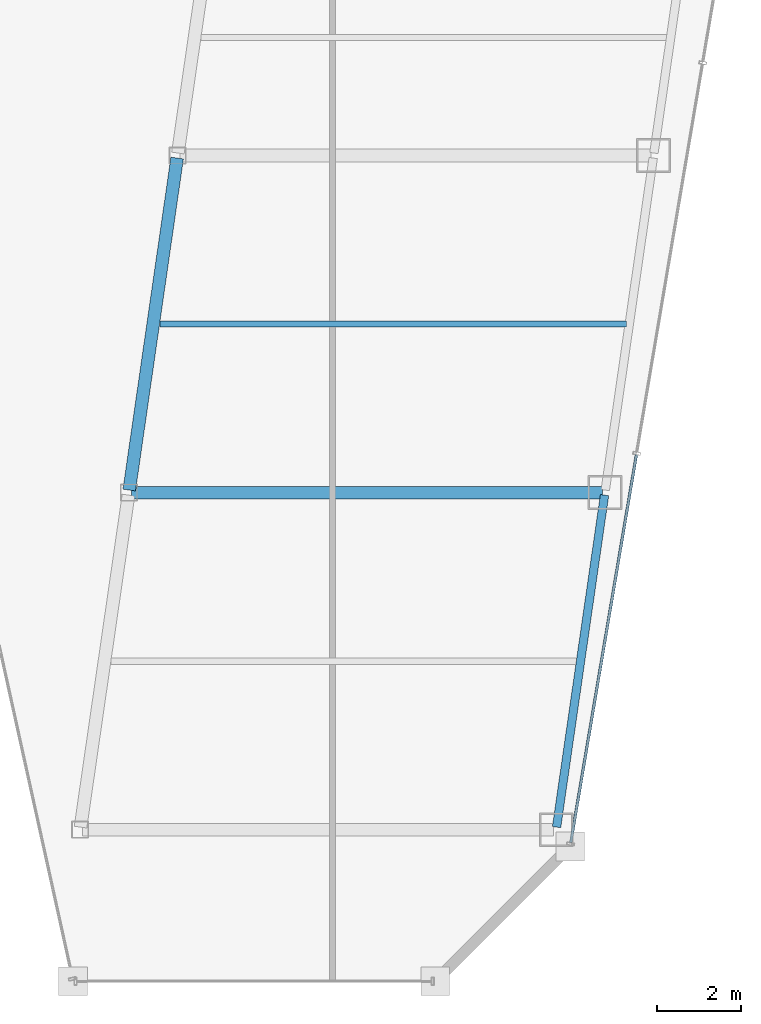
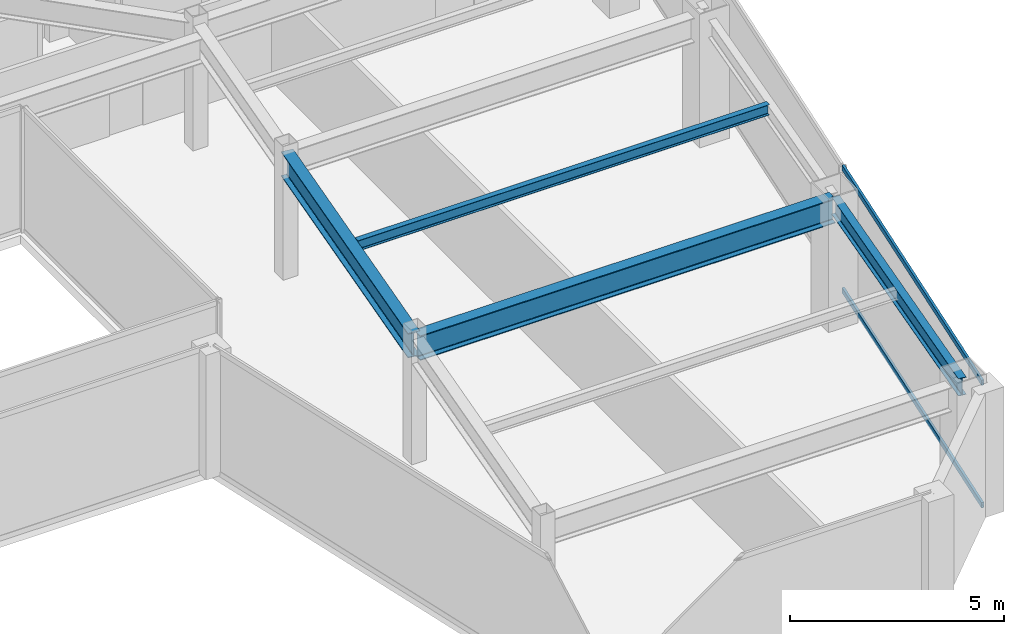
# One storey, part 19 of 35: 4 beams, 2 members, 1 element without a shape of its own.
"""IFC4 building model written with IfcOpenShell, lengths in metres."""

from ifc_helpers import new_model, si_unit, direction, frame, origin, origin_2d, place, context, subcontext, project, spatial, hollow_rectangle, i_section, extrude, material, material_profile, profile_set, type_object, element, aggregate, save


model = new_model("IFC4")

# Units and contexts
model_context = context("Model", 3, precision=1e-05, world=origin(), true_north=direction((0.0, 1.0)))
body_context = subcontext(model_context, "Body", "Model", "MODEL_VIEW")
ifc_project = project(units=[si_unit("LENGTHUNIT", "METRE"), si_unit("AREAUNIT", "SQUARE_METRE"), si_unit("VOLUMEUNIT", "CUBIC_METRE"), si_unit("PLANEANGLEUNIT", "RADIAN"), si_unit("MASSUNIT", "GRAM", prefix="KILO")], contexts=[model_context])

# Site, building, storey
site_placement = place(None, origin())
site = spatial("IfcSite", under=ifc_project, at=site_placement, CompositionType="ELEMENT")
building_placement = place(site_placement, origin())
building = spatial("IfcBuilding", under=site, at=building_placement, Name="Saevonmaru Cultural Tower", CompositionType="ELEMENT")
storey_placement = place(building_placement, frame((0.0, 0.0, 213.199951171875)))
storey = spatial("IfcBuildingStorey", under=building, at=storey_placement, Name="L49", CompositionType="ELEMENT", Elevation=213.199951171875)

# Beams
ifc_material_1 = material(Name="Steel SM355", Category="steel")
ifc_material_profile_1 = material_profile(ifc_material_1, i_section(OverallWidth=0.300048828125, OverallDepth=0.699951171875, WebThickness=0.012939453125, FlangeThickness=0.02392578125, FilletRadius=0.02587890625, at=origin_2d()), Name="H-700x300x13x24")
ifc_profile_set_1 = profile_set([ifc_material_profile_1], Name="Steel SM355")
beam_type_1 = type_object("IfcBeamType", Name="BM-G-H700", PredefinedType="BEAM", material=ifc_profile_set_1)
beam_1_placement = place(storey_placement, frame((39.236572265625, 24.059326171875, 3.199951171875), z_axis=(0.142902032203, 0.989736838353, 0.0), x_axis=(-0.989736838353, 0.142902032203, 0.0)))
element("IfcBeam", 1, at=beam_1_placement, inside=storey, type_object=beam_type_1, Name="L49 East Atrium Girder 2", PredefinedType="BEAM", context=body_context, shape_type="SweptSolid", body=[
    extrude(i_section(OverallWidth=0.300048828125, OverallDepth=0.699951171875, WebThickness=0.012939453125, FlangeThickness=0.02392578125, FilletRadius=0.02587890625, at=origin_2d()), origin(), (0.0, 0.0, 1.0), 7.963134765625),
])
beam_2_placement = place(storey_placement, frame((39.2880859375, 24.0, 3.199951171875), z_axis=(1.0, 0.0, 0.0), x_axis=(0.0, 1.0, 0.0)))
element("IfcBeam", 2, at=beam_2_placement, inside=storey, type_object=beam_type_1, Name="L49 East Wing Transverse Girder 2", PredefinedType="BEAM", context=body_context, shape_type="SweptSolid", body=[
    extrude(i_section(OverallWidth=0.300048828125, OverallDepth=0.699951171875, WebThickness=0.012939453125, FlangeThickness=0.02392578125, FilletRadius=0.02587890625, at=origin_2d()), origin(), (0.0, 0.0, 1.0), 11.179931640625),
])
ifc_material_profile_2 = material_profile(ifc_material_1, i_section(OverallWidth=0.14990234375, OverallDepth=0.300048828125, WebThickness=0.006591796875, FlangeThickness=0.009033203125, FilletRadius=0.012939453125, at=origin_2d()), Name="H-300x150x6.5x9")
ifc_profile_set_2 = profile_set([ifc_material_profile_2], Name="Steel SM355")
beam_type_2 = type_object("IfcBeamType", Name="BM-J-H300", PredefinedType="JOIST", material=ifc_profile_set_2)
beam_3_placement = place(storey_placement, frame((39.96337890625, 28.0, 3.400146484375), z_axis=(1.0, 0.0, 0.0), x_axis=(0.0, 1.0, 0.0)))
element("IfcBeam", 3, at=beam_3_placement, inside=storey, type_object=beam_type_2, Name="L49 East Wing Floor Joist 2", PredefinedType="JOIST", context=body_context, shape_type="SweptSolid", body=[
    extrude(i_section(OverallWidth=0.14990234375, OverallDepth=0.300048828125, WebThickness=0.006591796875, FlangeThickness=0.009033203125, FilletRadius=0.012939453125, at=origin_2d()), origin(), (0.0, 0.0, 1.0), 11.08203125),
])
ifc_material_profile_3 = material_profile(ifc_material_1, i_section(OverallWidth=0.199951171875, OverallDepth=0.5, WebThickness=0.010009765625, FlangeThickness=0.01611328125, FilletRadius=0.02001953125, at=origin_2d()), Name="H-500x200x10x16")
ifc_profile_set_3 = profile_set([ifc_material_profile_3], Name="Steel SM355")
beam_type_3 = type_object("IfcBeamType", Name="BM-SP-H500", PredefinedType="SPANDREL", material=ifc_profile_set_3)
beam_4_placement = place(storey_placement, frame((49.380615234375, 16.059326171875, 3.300048828125), z_axis=(0.142992129437, 0.989723825579, 0.0), x_axis=(-0.989723825579, 0.142992129437, 0.0)))
element("IfcBeam", 4, at=beam_4_placement, inside=storey, type_object=beam_type_3, Name="L49 East Splayed Spandrel 1", PredefinedType="SPANDREL", context=body_context, shape_type="SweptSolid", body=[
    extrude(i_section(OverallWidth=0.199951171875, OverallDepth=0.5, WebThickness=0.010009765625, FlangeThickness=0.01611328125, FilletRadius=0.02001953125, at=origin_2d()), origin(), (0.0, 0.0, 1.0), 7.963134765625),
])

# Curtain wall, members
ifc_material_2 = material(Name="Satin Bronze Anodised Aluminium", Category="aluminium")
curtain_wall_type = type_object("IfcCurtainWallType", Name="CW-TYP-B", PredefinedType="NOTDEFINED", material=ifc_material_2)
curtain_wall_placement = place(storey_placement, origin())
curtain_wall = element("IfcCurtainWall", 5, at=curtain_wall_placement, inside=storey, type_object=curtain_wall_type, Name="L49 Unitised Curtain Wall E8", PredefinedType="NOTDEFINED")
ifc_material_profile_4 = material_profile(ifc_material_2, hollow_rectangle(XDim=0.06494140625, YDim=0.14990234375, WallThickness=0.00390625, at=origin_2d()), Name="ALU-TRAN-150x65x4")
ifc_profile_set_4 = profile_set([ifc_material_profile_4], Name="Satin Bronze Anodised Aluminium")
member_type = type_object("IfcMemberType", Name="TR-CW-150x65", PredefinedType="USERDEFINED", material=ifc_profile_set_4)
member_1_placement = place(storey_placement, frame((49.717529296875, 15.691162109375, 0.032470703125), z_axis=(0.166921263871, 0.985970228591, 0.0), x_axis=(-0.985970228591, 0.166921263871, 0.0)))
member_1 = element("IfcMember", 6, at=member_1_placement, type_object=member_type, Name="CW-TW-L49-E8 transom 1.1", ObjectType="TRANSOM", PredefinedType="USERDEFINED", context=body_context, shape_type="SweptSolid", body=[
    extrude(hollow_rectangle(XDim=0.06494140625, YDim=0.14990234375, WallThickness=0.00390625, at=origin_2d()), origin(), (0.0, 0.0, 1.0), 9.33740234375),
])
member_2_placement = place(storey_placement, frame((49.717529296875, 15.691162109375, 3.517578125), z_axis=(0.166921263871, 0.985970228591, 0.0), x_axis=(-0.985970228591, 0.166921263871, 0.0)))
member_2 = element("IfcMember", 7, at=member_2_placement, type_object=member_type, Name="CW-TW-L49-E8 transom 1.2", ObjectType="TRANSOM", PredefinedType="USERDEFINED", context=body_context, shape_type="SweptSolid", body=[
    extrude(hollow_rectangle(XDim=0.06494140625, YDim=0.14990234375, WallThickness=0.00390625, at=origin_2d()), origin(), (0.0, 0.0, 1.0), 9.33740234375),
])
aggregate(curtain_wall, [member_1, member_2])

save(model, "model.ifc")
